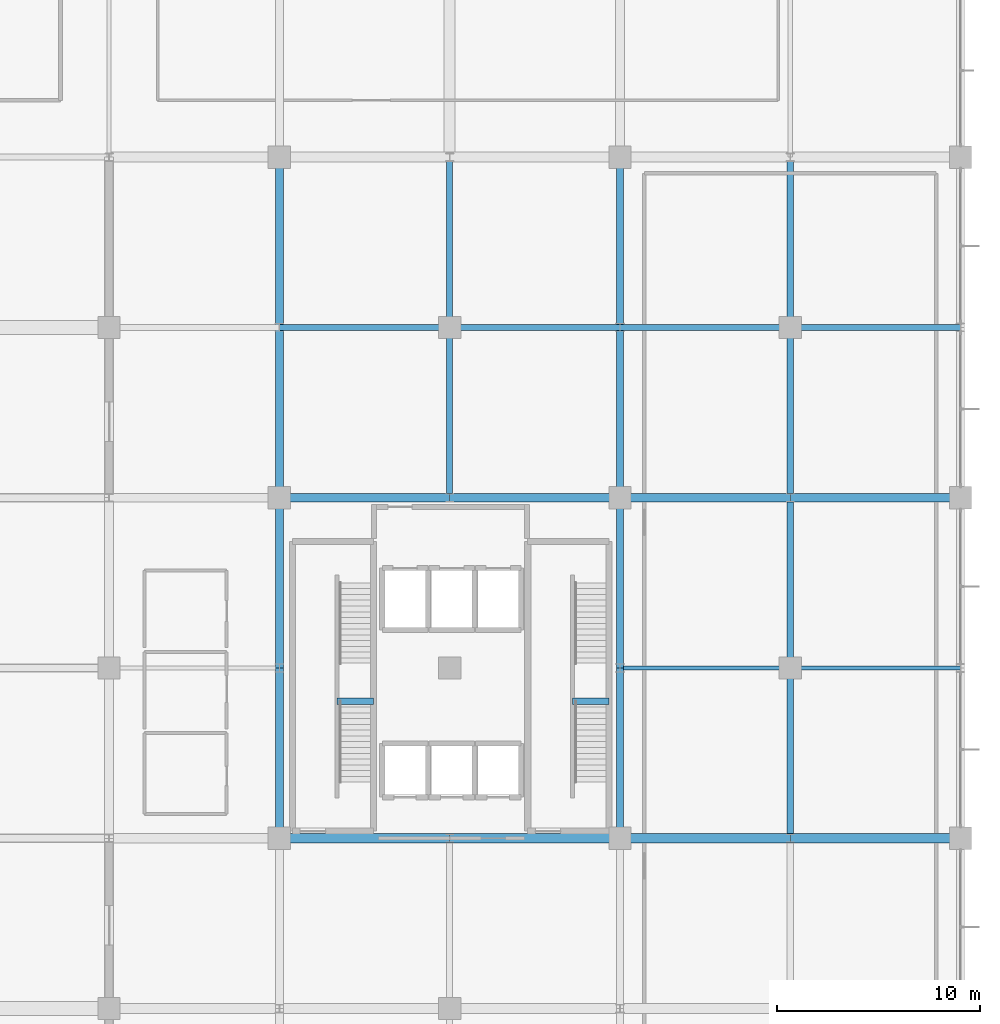
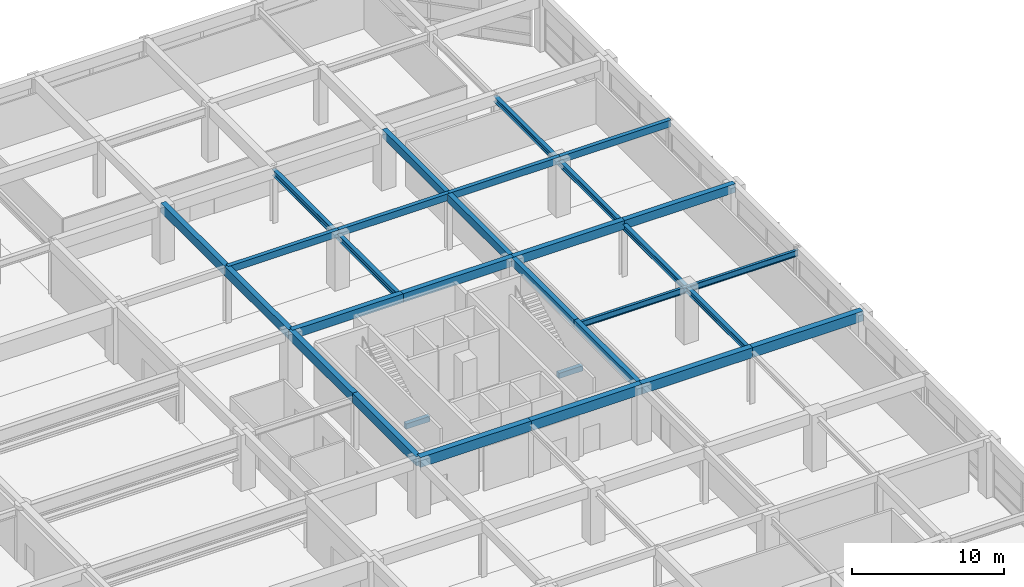
# One storey, part 31 of 56: 30 beams.
"""IFC4 building model written with IfcOpenShell, lengths in metres."""

from ifc_helpers import new_model, si_unit, direction, frame, origin, origin_2d, place, context, subcontext, project, spatial, rectangle, i_section, extrude, material, material_profile, profile_set, type_object, element, save


model = new_model("IFC4")

# Units and contexts
model_context = context("Model", 3, precision=1e-05, world=origin(), true_north=direction((0.0, 1.0)))
body_context = subcontext(model_context, "Body", "Model", "MODEL_VIEW")
ifc_project = project(units=[si_unit("LENGTHUNIT", "METRE"), si_unit("AREAUNIT", "SQUARE_METRE"), si_unit("VOLUMEUNIT", "CUBIC_METRE"), si_unit("PLANEANGLEUNIT", "RADIAN"), si_unit("MASSUNIT", "GRAM", prefix="KILO")], contexts=[model_context])

# Site, building, storey
site_placement = place(None, origin())
site = spatial("IfcSite", under=ifc_project, at=site_placement, CompositionType="ELEMENT")
building_placement = place(site_placement, origin())
building = spatial("IfcBuilding", under=site, at=building_placement, Name="Xuanlan Plaza Opera House", CompositionType="ELEMENT")
storey_placement = place(building_placement, frame((0.0, 0.0, 18.89990234375)))
storey = spatial("IfcBuildingStorey", under=building, at=storey_placement, Name="L04", CompositionType="ELEMENT", Elevation=18.89990234375)

# Beams
ifc_material_1 = material(Name="Concrete C40", Category="concrete")
ifc_material_profile_1 = material_profile(ifc_material_1, rectangle(XDim=0.449951171875, YDim=0.800048828125, at=origin_2d()), Name="RC-BM 450x800")
ifc_profile_set_1 = profile_set([ifc_material_profile_1], Name="Concrete C40")
beam_type_1 = type_object("IfcBeamType", Name="STR-BM-B-05", PredefinedType="BEAM", material=ifc_profile_set_1)
beam_1_placement = place(storey_placement, frame((134.39990234375, 50.39990234375, 4.10009765625), z_axis=(1.0, 0.0, 0.0), x_axis=(0.0, 1.0, 0.0)))
element("IfcBeam", 1, at=beam_1_placement, inside=storey, type_object=beam_type_1, Name="Grid Beam X L04 17-18/G", PredefinedType="BEAM", context=body_context, shape_type="SweptSolid", body=[
    extrude(rectangle(XDim=0.449951171875, YDim=0.800048828125, at=origin_2d()), origin(), (0.0, 0.0, 1.0), 8.400146484375),
])
beam_2_placement = place(storey_placement, frame((142.800048828125, 50.39990234375, 4.10009765625), z_axis=(1.0, 0.0, 0.0), x_axis=(0.0, 1.0, 0.0)))
element("IfcBeam", 2, at=beam_2_placement, inside=storey, type_object=beam_type_1, Name="Grid Beam X L04 18-19/G", PredefinedType="BEAM", context=body_context, shape_type="SweptSolid", body=[
    extrude(rectangle(XDim=0.449951171875, YDim=0.800048828125, at=origin_2d()), origin(), (0.0, 0.0, 1.0), 8.39990234375),
])
beam_3_placement = place(storey_placement, frame((151.199951171875, 50.39990234375, 4.10009765625), z_axis=(1.0, 0.0, 0.0), x_axis=(0.0, 1.0, 0.0)))
element("IfcBeam", 3, at=beam_3_placement, inside=storey, type_object=beam_type_1, Name="Grid Beam X L04 19-20/G", PredefinedType="BEAM", context=body_context, shape_type="SweptSolid", body=[
    extrude(rectangle(XDim=0.449951171875, YDim=0.800048828125, at=origin_2d()), origin(), (0.0, 0.0, 1.0), 8.400146484375),
])
beam_4_placement = place(storey_placement, frame((159.60009765625, 50.39990234375, 4.10009765625), z_axis=(1.0, 0.0, 0.0), x_axis=(0.0, 1.0, 0.0)))
element("IfcBeam", 4, at=beam_4_placement, inside=storey, type_object=beam_type_1, Name="Grid Beam X L04 20-21/G", PredefinedType="BEAM", context=body_context, shape_type="SweptSolid", body=[
    extrude(rectangle(XDim=0.449951171875, YDim=0.800048828125, at=origin_2d()), origin(), (0.0, 0.0, 1.0), 8.39990234375),
])
ifc_material_profile_2 = material_profile(ifc_material_1, rectangle(XDim=0.39990234375, YDim=0.75, at=origin_2d()), Name="RC-BM 400x750")
ifc_profile_set_2 = profile_set([ifc_material_profile_2], Name="Concrete C40")
beam_type_2 = type_object("IfcBeamType", Name="STR-BM-B-06", PredefinedType="BEAM", material=ifc_profile_set_2)
beam_5_placement = place(storey_placement, frame((134.39990234375, 50.39990234375, 4.125), z_axis=(0.0, 1.0, 0.0), x_axis=(-1.0, 0.0, 0.0)))
element("IfcBeam", 5, at=beam_5_placement, inside=storey, type_object=beam_type_2, Name="Grid Beam Y L04 17/G-H", PredefinedType="BEAM", context=body_context, shape_type="SweptSolid", body=[
    extrude(rectangle(XDim=0.39990234375, YDim=0.75, at=origin_2d()), origin(), (0.0, 0.0, 1.0), 8.400146484375),
])
beam_6_placement = place(storey_placement, frame((134.39990234375, 58.800048828125, 4.125), z_axis=(0.0, 1.0, 0.0), x_axis=(-1.0, 0.0, 0.0)))
element("IfcBeam", 6, at=beam_6_placement, inside=storey, type_object=beam_type_2, Name="Grid Beam Y L04 17/H-I", PredefinedType="BEAM", context=body_context, shape_type="SweptSolid", body=[
    extrude(rectangle(XDim=0.39990234375, YDim=0.75, at=origin_2d()), origin(), (0.0, 0.0, 1.0), 8.39990234375),
])
beam_7_placement = place(storey_placement, frame((134.39990234375, 67.199951171875, 4.125), z_axis=(0.0, 1.0, 0.0), x_axis=(-1.0, 0.0, 0.0)))
element("IfcBeam", 7, at=beam_7_placement, inside=storey, type_object=beam_type_2, Name="Grid Beam Y L04 17/I-J", PredefinedType="BEAM", context=body_context, shape_type="SweptSolid", body=[
    extrude(rectangle(XDim=0.39990234375, YDim=0.75, at=origin_2d()), origin(), (0.0, 0.0, 1.0), 8.400146484375),
])
beam_8_placement = place(storey_placement, frame((134.39990234375, 75.60009765625, 4.125), z_axis=(0.0, 1.0, 0.0), x_axis=(-1.0, 0.0, 0.0)))
element("IfcBeam", 8, at=beam_8_placement, inside=storey, type_object=beam_type_2, Name="Grid Beam Y L04 17/J-K", PredefinedType="BEAM", context=body_context, shape_type="SweptSolid", body=[
    extrude(rectangle(XDim=0.39990234375, YDim=0.75, at=origin_2d()), origin(), (0.0, 0.0, 1.0), 8.39990234375),
])
ifc_material_profile_3 = material_profile(ifc_material_1, rectangle(XDim=0.39990234375, YDim=0.699951171875, at=origin_2d()), Name="RC-BM 400x700")
ifc_profile_set_3 = profile_set([ifc_material_profile_3], Name="Concrete C40")
beam_type_3 = type_object("IfcBeamType", Name="STR-BM-B-07", PredefinedType="BEAM", material=ifc_profile_set_3)
beam_9_placement = place(storey_placement, frame((134.39990234375, 67.199951171875, 4.150146484375), z_axis=(1.0, 0.0, 0.0), x_axis=(0.0, 1.0, 0.0)))
element("IfcBeam", 9, at=beam_9_placement, inside=storey, type_object=beam_type_3, Name="Grid Beam X L04 17-18/I", PredefinedType="BEAM", context=body_context, shape_type="SweptSolid", body=[
    extrude(rectangle(XDim=0.39990234375, YDim=0.699951171875, at=origin_2d()), origin(), (0.0, 0.0, 1.0), 8.400146484375),
])
beam_10_placement = place(storey_placement, frame((142.800048828125, 67.199951171875, 4.150146484375), z_axis=(1.0, 0.0, 0.0), x_axis=(0.0, 1.0, 0.0)))
element("IfcBeam", 10, at=beam_10_placement, inside=storey, type_object=beam_type_3, Name="Grid Beam X L04 18-19/I", PredefinedType="BEAM", context=body_context, shape_type="SweptSolid", body=[
    extrude(rectangle(XDim=0.39990234375, YDim=0.699951171875, at=origin_2d()), origin(), (0.0, 0.0, 1.0), 8.39990234375),
])
beam_11_placement = place(storey_placement, frame((151.199951171875, 67.199951171875, 4.150146484375), z_axis=(1.0, 0.0, 0.0), x_axis=(0.0, 1.0, 0.0)))
element("IfcBeam", 11, at=beam_11_placement, inside=storey, type_object=beam_type_3, Name="Grid Beam X L04 19-20/I", PredefinedType="BEAM", context=body_context, shape_type="SweptSolid", body=[
    extrude(rectangle(XDim=0.39990234375, YDim=0.699951171875, at=origin_2d()), origin(), (0.0, 0.0, 1.0), 8.400146484375),
])
beam_12_placement = place(storey_placement, frame((159.60009765625, 67.199951171875, 4.150146484375), z_axis=(1.0, 0.0, 0.0), x_axis=(0.0, 1.0, 0.0)))
element("IfcBeam", 12, at=beam_12_placement, inside=storey, type_object=beam_type_3, Name="Grid Beam X L04 20-21/I", PredefinedType="BEAM", context=body_context, shape_type="SweptSolid", body=[
    extrude(rectangle(XDim=0.39990234375, YDim=0.699951171875, at=origin_2d()), origin(), (0.0, 0.0, 1.0), 8.39990234375),
])
ifc_material_profile_4 = material_profile(ifc_material_1, rectangle(XDim=0.35009765625, YDim=0.64990234375, at=origin_2d()), Name="RC-BM 350x650")
ifc_profile_set_4 = profile_set([ifc_material_profile_4], Name="Concrete C40")
beam_type_4 = type_object("IfcBeamType", Name="STR-BM-B-08", PredefinedType="BEAM", material=ifc_profile_set_4)
beam_13_placement = place(storey_placement, frame((151.199951171875, 50.39990234375, 4.175048828125), z_axis=(0.0, 1.0, 0.0), x_axis=(-1.0, 0.0, 0.0)))
element("IfcBeam", 13, at=beam_13_placement, inside=storey, type_object=beam_type_4, Name="Grid Beam Y L04 19/G-H", PredefinedType="BEAM", context=body_context, shape_type="SweptSolid", body=[
    extrude(rectangle(XDim=0.35009765625, YDim=0.64990234375, at=origin_2d()), origin(), (0.0, 0.0, 1.0), 8.400146484375),
])
beam_14_placement = place(storey_placement, frame((151.199951171875, 58.800048828125, 4.175048828125), z_axis=(0.0, 1.0, 0.0), x_axis=(-1.0, 0.0, 0.0)))
element("IfcBeam", 14, at=beam_14_placement, inside=storey, type_object=beam_type_4, Name="Grid Beam Y L04 19/H-I", PredefinedType="BEAM", context=body_context, shape_type="SweptSolid", body=[
    extrude(rectangle(XDim=0.35009765625, YDim=0.64990234375, at=origin_2d()), origin(), (0.0, 0.0, 1.0), 8.39990234375),
])
beam_15_placement = place(storey_placement, frame((151.199951171875, 67.199951171875, 4.175048828125), z_axis=(0.0, 1.0, 0.0), x_axis=(-1.0, 0.0, 0.0)))
element("IfcBeam", 15, at=beam_15_placement, inside=storey, type_object=beam_type_4, Name="Grid Beam Y L04 19/I-J", PredefinedType="BEAM", context=body_context, shape_type="SweptSolid", body=[
    extrude(rectangle(XDim=0.35009765625, YDim=0.64990234375, at=origin_2d()), origin(), (0.0, 0.0, 1.0), 8.400146484375),
])
beam_16_placement = place(storey_placement, frame((151.199951171875, 75.60009765625, 4.175048828125), z_axis=(0.0, 1.0, 0.0), x_axis=(-1.0, 0.0, 0.0)))
element("IfcBeam", 16, at=beam_16_placement, inside=storey, type_object=beam_type_4, Name="Grid Beam Y L04 19/J-K", PredefinedType="BEAM", context=body_context, shape_type="SweptSolid", body=[
    extrude(rectangle(XDim=0.35009765625, YDim=0.64990234375, at=origin_2d()), origin(), (0.0, 0.0, 1.0), 8.39990234375),
])
ifc_material_profile_5 = material_profile(ifc_material_1, rectangle(XDim=0.300048828125, YDim=0.550048828125, at=origin_2d()), Name="RC-BM 300x550")
ifc_profile_set_5 = profile_set([ifc_material_profile_5], Name="Concrete C40")
beam_type_5 = type_object("IfcBeamType", Name="STR-BM-B-09", PredefinedType="BEAM", material=ifc_profile_set_5)
beam_17_placement = place(storey_placement, frame((134.39990234375, 75.60009765625, 4.22509765625), z_axis=(1.0, 0.0, 0.0), x_axis=(0.0, 1.0, 0.0)))
element("IfcBeam", 17, at=beam_17_placement, inside=storey, type_object=beam_type_5, Name="Grid Beam X L04 17-18/J", PredefinedType="BEAM", context=body_context, shape_type="SweptSolid", body=[
    extrude(rectangle(XDim=0.300048828125, YDim=0.550048828125, at=origin_2d()), origin(), (0.0, 0.0, 1.0), 8.400146484375),
])
beam_18_placement = place(storey_placement, frame((142.800048828125, 75.60009765625, 4.22509765625), z_axis=(1.0, 0.0, 0.0), x_axis=(0.0, 1.0, 0.0)))
element("IfcBeam", 18, at=beam_18_placement, inside=storey, type_object=beam_type_5, Name="Grid Beam X L04 18-19/J", PredefinedType="BEAM", context=body_context, shape_type="SweptSolid", body=[
    extrude(rectangle(XDim=0.300048828125, YDim=0.550048828125, at=origin_2d()), origin(), (0.0, 0.0, 1.0), 8.39990234375),
])
beam_19_placement = place(storey_placement, frame((151.199951171875, 75.60009765625, 4.22509765625), z_axis=(1.0, 0.0, 0.0), x_axis=(0.0, 1.0, 0.0)))
element("IfcBeam", 19, at=beam_19_placement, inside=storey, type_object=beam_type_5, Name="Grid Beam X L04 19-20/J", PredefinedType="BEAM", context=body_context, shape_type="SweptSolid", body=[
    extrude(rectangle(XDim=0.300048828125, YDim=0.550048828125, at=origin_2d()), origin(), (0.0, 0.0, 1.0), 8.400146484375),
])
beam_20_placement = place(storey_placement, frame((159.60009765625, 75.60009765625, 4.22509765625), z_axis=(1.0, 0.0, 0.0), x_axis=(0.0, 1.0, 0.0)))
element("IfcBeam", 20, at=beam_20_placement, inside=storey, type_object=beam_type_5, Name="Grid Beam X L04 20-21/J", PredefinedType="BEAM", context=body_context, shape_type="SweptSolid", body=[
    extrude(rectangle(XDim=0.300048828125, YDim=0.550048828125, at=origin_2d()), origin(), (0.0, 0.0, 1.0), 8.39990234375),
])
ifc_material_profile_6 = material_profile(ifc_material_1, rectangle(XDim=0.320068359375, YDim=0.419921875, at=origin_2d()), Name="RC-LNT 320x420")
ifc_profile_set_6 = profile_set([ifc_material_profile_6], Name="Concrete C40")
beam_type_6 = type_object("IfcBeamType", Name="STR-BM-LN-04", PredefinedType="LINTEL", material=ifc_profile_set_6)
beam_21_placement = place(storey_placement, frame((137.25, 57.159912109375, 1.840087890625), z_axis=(1.0, 0.0, 0.0), x_axis=(0.0, 1.0, 0.0)))
element("IfcBeam", 21, at=beam_21_placement, inside=storey, type_object=beam_type_6, Name="Stair Mid-Landing Trimmer Beam ST-T1 L04", PredefinedType="LINTEL", context=body_context, shape_type="SweptSolid", body=[
    extrude(rectangle(XDim=0.320068359375, YDim=0.419921875, at=origin_2d()), origin(), (0.0, 0.0, 1.0), 1.800048828125),
])
beam_22_placement = place(storey_placement, frame((148.85009765625, 57.159912109375, 1.840087890625), z_axis=(1.0, 0.0, 0.0), x_axis=(0.0, 1.0, 0.0)))
element("IfcBeam", 22, at=beam_22_placement, inside=storey, type_object=beam_type_6, Name="Stair Mid-Landing Trimmer Beam ST-T2 L04", PredefinedType="LINTEL", context=body_context, shape_type="SweptSolid", body=[
    extrude(rectangle(XDim=0.320068359375, YDim=0.419921875, at=origin_2d()), origin(), (0.0, 0.0, 1.0), 1.7998046875),
])
ifc_material_2 = material(Name="Steel Q355B", Category="steel")
ifc_material_profile_7 = material_profile(ifc_material_2, i_section(OverallWidth=0.199951171875, OverallDepth=0.5, WebThickness=0.010009765625, FlangeThickness=0.01611328125, FilletRadius=0.02001953125, at=origin_2d()), Name="HN 500x200x10x16")
ifc_profile_set_7 = profile_set([ifc_material_profile_7], Name="Steel Q355B")
beam_type_7 = type_object("IfcBeamType", Name="STR-BM-SB-05", PredefinedType="BEAM", material=ifc_profile_set_7)
beam_23_placement = place(storey_placement, frame((151.199951171875, 58.800048828125, 3.985107421875), z_axis=(1.0, 0.0, 0.0), x_axis=(0.0, 1.0, 0.0)))
element("IfcBeam", 23, at=beam_23_placement, inside=storey, type_object=beam_type_7, Name="Grid Beam X L04 19-20/H", PredefinedType="BEAM", context=body_context, shape_type="SweptSolid", body=[
    extrude(i_section(OverallWidth=0.199951171875, OverallDepth=0.5, WebThickness=0.010009765625, FlangeThickness=0.01611328125, FilletRadius=0.02001953125, at=origin_2d()), origin(), (0.0, 0.0, 1.0), 8.400146484375),
])
beam_24_placement = place(storey_placement, frame((159.60009765625, 58.800048828125, 3.985107421875), z_axis=(1.0, 0.0, 0.0), x_axis=(0.0, 1.0, 0.0)))
element("IfcBeam", 24, at=beam_24_placement, inside=storey, type_object=beam_type_7, Name="Grid Beam X L04 20-21/H", PredefinedType="BEAM", context=body_context, shape_type="SweptSolid", body=[
    extrude(i_section(OverallWidth=0.199951171875, OverallDepth=0.5, WebThickness=0.010009765625, FlangeThickness=0.01611328125, FilletRadius=0.02001953125, at=origin_2d()), origin(), (0.0, 0.0, 1.0), 8.39990234375),
])
ifc_material_profile_8 = material_profile(ifc_material_2, i_section(OverallWidth=0.300048828125, OverallDepth=0.488037109375, WebThickness=0.010986328125, FlangeThickness=0.01806640625, FilletRadius=0.02197265625, at=origin_2d()), Name="HM 488x300x11x18")
ifc_profile_set_8 = profile_set([ifc_material_profile_8], Name="Steel Q355B")
beam_type_8 = type_object("IfcBeamType", Name="STR-BM-SB-07", PredefinedType="BEAM", material=ifc_profile_set_8)
beam_25_placement = place(storey_placement, frame((142.800048828125, 67.199951171875, 3.9912109375), z_axis=(0.0, 1.0, 0.0), x_axis=(-1.0, 0.0, 0.0)))
element("IfcBeam", 25, at=beam_25_placement, inside=storey, type_object=beam_type_8, Name="Grid Beam Y L04 18/I-J", PredefinedType="BEAM", context=body_context, shape_type="SweptSolid", body=[
    extrude(i_section(OverallWidth=0.300048828125, OverallDepth=0.488037109375, WebThickness=0.010986328125, FlangeThickness=0.01806640625, FilletRadius=0.02197265625, at=origin_2d()), origin(), (0.0, 0.0, 1.0), 8.400146484375),
])
beam_26_placement = place(storey_placement, frame((142.800048828125, 75.60009765625, 3.9912109375), z_axis=(0.0, 1.0, 0.0), x_axis=(-1.0, 0.0, 0.0)))
element("IfcBeam", 26, at=beam_26_placement, inside=storey, type_object=beam_type_8, Name="Grid Beam Y L04 18/J-K", PredefinedType="BEAM", context=body_context, shape_type="SweptSolid", body=[
    extrude(i_section(OverallWidth=0.300048828125, OverallDepth=0.488037109375, WebThickness=0.010986328125, FlangeThickness=0.01806640625, FilletRadius=0.02197265625, at=origin_2d()), origin(), (0.0, 0.0, 1.0), 8.39990234375),
])
ifc_material_profile_9 = material_profile(ifc_material_2, i_section(OverallWidth=0.300048828125, OverallDepth=0.43994140625, WebThickness=0.010986328125, FlangeThickness=0.01806640625, FilletRadius=0.02001953125, at=origin_2d()), Name="HM 440x300x11x18")
ifc_profile_set_9 = profile_set([ifc_material_profile_9], Name="Steel Q355B")
beam_type_9 = type_object("IfcBeamType", Name="STR-BM-SB-08", PredefinedType="BEAM", material=ifc_profile_set_9)
beam_27_placement = place(storey_placement, frame((159.60009765625, 50.39990234375, 4.01513671875), z_axis=(0.0, 1.0, 0.0), x_axis=(-1.0, 0.0, 0.0)))
element("IfcBeam", 27, at=beam_27_placement, inside=storey, type_object=beam_type_9, Name="Grid Beam Y L04 20/G-H", PredefinedType="BEAM", context=body_context, shape_type="SweptSolid", body=[
    extrude(i_section(OverallWidth=0.300048828125, OverallDepth=0.43994140625, WebThickness=0.010986328125, FlangeThickness=0.01806640625, FilletRadius=0.02001953125, at=origin_2d()), origin(), (0.0, 0.0, 1.0), 8.400146484375),
])
beam_28_placement = place(storey_placement, frame((159.60009765625, 58.800048828125, 4.01513671875), z_axis=(0.0, 1.0, 0.0), x_axis=(-1.0, 0.0, 0.0)))
element("IfcBeam", 28, at=beam_28_placement, inside=storey, type_object=beam_type_9, Name="Grid Beam Y L04 20/H-I", PredefinedType="BEAM", context=body_context, shape_type="SweptSolid", body=[
    extrude(i_section(OverallWidth=0.300048828125, OverallDepth=0.43994140625, WebThickness=0.010986328125, FlangeThickness=0.01806640625, FilletRadius=0.02001953125, at=origin_2d()), origin(), (0.0, 0.0, 1.0), 8.39990234375),
])
beam_29_placement = place(storey_placement, frame((159.60009765625, 67.199951171875, 4.01513671875), z_axis=(0.0, 1.0, 0.0), x_axis=(-1.0, 0.0, 0.0)))
element("IfcBeam", 29, at=beam_29_placement, inside=storey, type_object=beam_type_9, Name="Grid Beam Y L04 20/I-J", PredefinedType="BEAM", context=body_context, shape_type="SweptSolid", body=[
    extrude(i_section(OverallWidth=0.300048828125, OverallDepth=0.43994140625, WebThickness=0.010986328125, FlangeThickness=0.01806640625, FilletRadius=0.02001953125, at=origin_2d()), origin(), (0.0, 0.0, 1.0), 8.400146484375),
])
beam_30_placement = place(storey_placement, frame((159.60009765625, 75.60009765625, 4.01513671875), z_axis=(0.0, 1.0, 0.0), x_axis=(-1.0, 0.0, 0.0)))
element("IfcBeam", 30, at=beam_30_placement, inside=storey, type_object=beam_type_9, Name="Grid Beam Y L04 20/J-K", PredefinedType="BEAM", context=body_context, shape_type="SweptSolid", body=[
    extrude(i_section(OverallWidth=0.300048828125, OverallDepth=0.43994140625, WebThickness=0.010986328125, FlangeThickness=0.01806640625, FilletRadius=0.02001953125, at=origin_2d()), origin(), (0.0, 0.0, 1.0), 8.39990234375),
])

save(model, "model.ifc")
